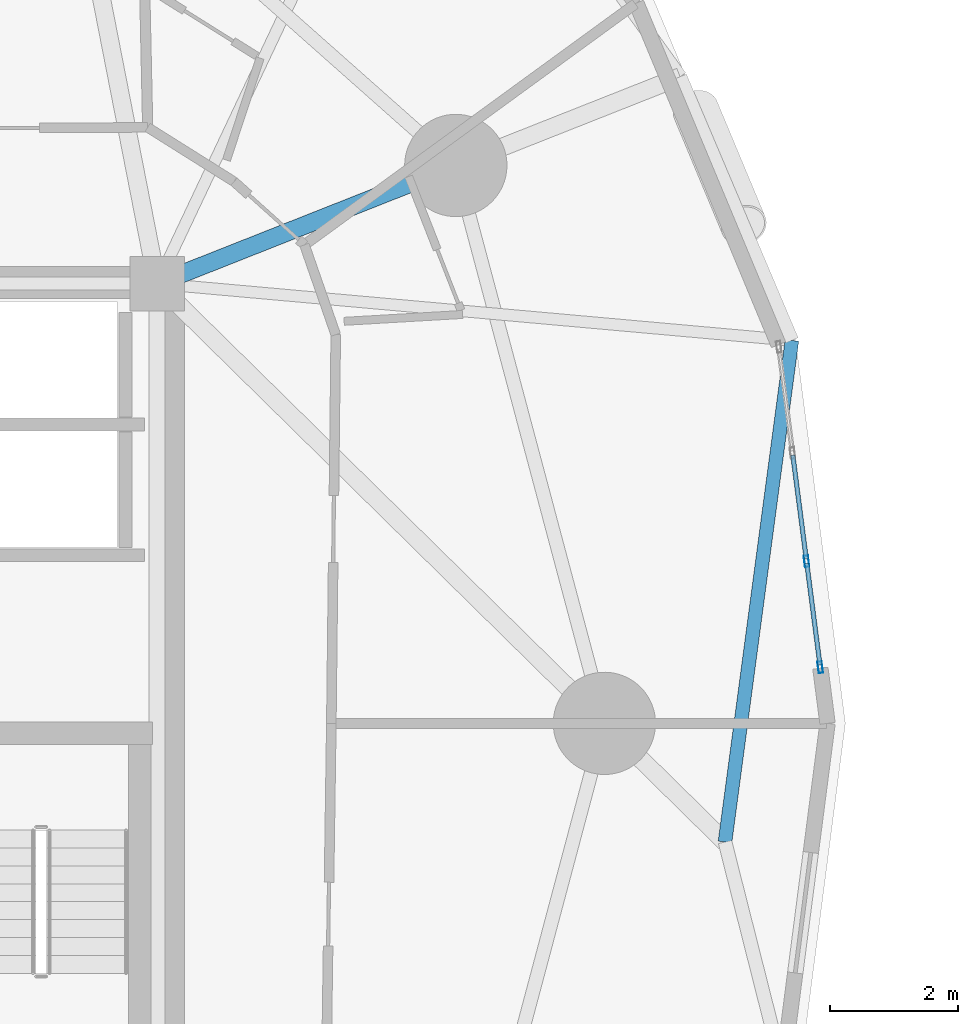
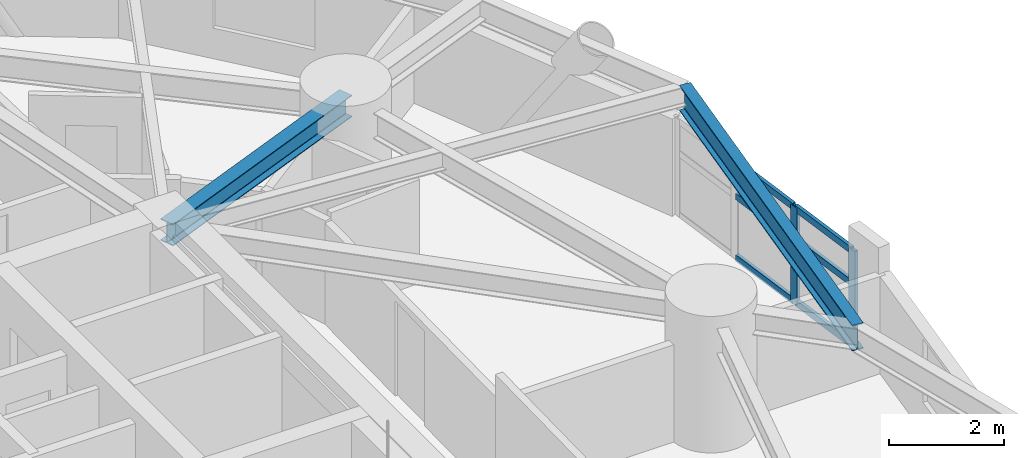
# One storey, part 2 of 18: 8 members, 2 beams, 1 element without a shape of its own.
"""IFC4 building model written with IfcOpenShell, lengths in metres."""

from ifc_helpers import new_model, si_unit, direction, frame, origin, origin_2d, place, context, subcontext, project, spatial, hollow_rectangle, i_section, extrude, material, layer, layer_set, material_profile, profile_set, type_object, element, aggregate, save


model = new_model("IFC4")

# Units and contexts
model_context = context("Model", 3, precision=1e-05, world=origin(), true_north=direction((0.0, 1.0)))
body_context = subcontext(model_context, "Body", "Model", "MODEL_VIEW")
ifc_project = project(units=[si_unit("LENGTHUNIT", "METRE"), si_unit("AREAUNIT", "SQUARE_METRE"), si_unit("VOLUMEUNIT", "CUBIC_METRE"), si_unit("PLANEANGLEUNIT", "RADIAN"), si_unit("MASSUNIT", "GRAM", prefix="KILO")], contexts=[model_context])

# Site, building, storey
site_placement = place(None, origin())
site = spatial("IfcSite", under=ifc_project, at=site_placement, CompositionType="ELEMENT")
building_placement = place(site_placement, origin())
building = spatial("IfcBuilding", under=site, at=building_placement, Name="Cununo Teusaquillo Station Towers", CompositionType="ELEMENT")
storey_placement = place(building_placement, frame((0.0, 0.0, 51.10009765625)))
storey = spatial("IfcBuildingStorey", under=building, at=storey_placement, Name="L15", CompositionType="ELEMENT", Elevation=51.10009765625)

# Beams
ifc_material_1 = material(Name="Steel ASTM A572 Grade 50", Category="steel")
ifc_material_profile_1 = material_profile(ifc_material_1, i_section(OverallWidth=0.280029296875, OverallDepth=0.462890625, WebThickness=0.0107421875, FlangeThickness=0.017333984375, FilletRadius=0.013916015625, at=origin_2d()), Name="W18X76")
ifc_profile_set_1 = profile_set([ifc_material_profile_1], Name="Steel ASTM A572 Grade 50")
beam_type_1 = type_object("IfcBeamType", Name="BM-RAD-G1", PredefinedType="BEAM", material=ifc_profile_set_1)
beam_1_placement = place(storey_placement, frame((21.675048828125, 31.3798828125, 2.41845703125), z_axis=(0.929864104313, 0.367903176814, 0.0), x_axis=(-0.367903176814, 0.929864104313, 0.0)))
element("IfcBeam", 1, at=beam_1_placement, inside=storey, type_object=beam_type_1, Name="L15 Tower A Radial Girder 02A", PredefinedType="BEAM", context=body_context, shape_type="SweptSolid", body=[
    extrude(i_section(OverallWidth=0.280029296875, OverallDepth=0.462890625, WebThickness=0.0107421875, FlangeThickness=0.017333984375, FilletRadius=0.013916015625, at=origin_2d()), origin(), (0.0, 0.0, 1.0), 5.02490234375),
])
ifc_material_2 = material(Name="Steel ASTM A572 Grade 50", Category="steel")
ifc_material_profile_2 = material_profile(ifc_material_2, i_section(OverallWidth=0.214111328125, OverallDepth=0.549072265625, WebThickness=0.0146484375, FlangeThickness=0.023681640625, FilletRadius=0.014892578125, at=origin_2d()), Name="W21X93")
ifc_profile_set_2 = profile_set([ifc_material_profile_2], Name="Steel ASTM A572 Grade 50")
beam_type_2 = type_object("IfcBeamType", Name="BM-RING-Z1", PredefinedType="SPANDREL", material=ifc_profile_set_2)
beam_2_placement = place(storey_placement, frame((30.558837890625, 22.644775390625, 2.37548828125), z_axis=(0.132240482179, 0.991217662712, 0.0), x_axis=(-0.991217662712, 0.132240482179, 0.0)))
element("IfcBeam", 2, at=beam_2_placement, inside=storey, type_object=beam_type_2, Name="L15 Tower A Spandrel Ring Beam 01", PredefinedType="SPANDREL", context=body_context, shape_type="SweptSolid", body=[
    extrude(i_section(OverallWidth=0.214111328125, OverallDepth=0.549072265625, WebThickness=0.0146484375, FlangeThickness=0.023681640625, FilletRadius=0.014892578125, at=origin_2d()), origin(), (0.0, 0.0, 1.0), 7.91650390625),
])

# Curtain wall, members
ifc_material_3 = material(Name="Operable acoustic tinted low-E double glazing", Category="glass")
ifc_layer = layer(ifc_material_3, 0.179931640625)
ifc_layer_set = layer_set([ifc_layer], Name="Operable acoustic tinted low-E double glazing")
curtain_wall_type = type_object("IfcCurtainWallType", Name="CW-SYS-03", PredefinedType="USERDEFINED", material=ifc_layer_set)
curtain_wall_placement = place(storey_placement, origin())
curtain_wall = element("IfcCurtainWall", 3, at=curtain_wall_placement, inside=storey, type_object=curtain_wall_type, Name="L15 Tower A Facade Curtain Wall C00", ObjectType="OPERABLE GLAZING", PredefinedType="USERDEFINED")
ifc_material_4 = material(Name="Anodised dark bronze aluminium EN AW-6063-T6", Category="aluminium")
ifc_material_profile_3 = material_profile(ifc_material_4, hollow_rectangle(XDim=0.070068359375, YDim=0.179931640625, WallThickness=0.00390625, at=origin_2d()), Name="CW-MULL-70x180")
ifc_profile_set_3 = profile_set([ifc_material_profile_3], Name="Anodised dark bronze aluminium EN AW-6063-T6")
member_type_1 = type_object("IfcMemberType", Name="CWM-180", PredefinedType="MULLION", material=ifc_profile_set_3)
member_1_placement = place(storey_placement, frame((31.834716796875, 27.03662109375, 0.0), z_axis=(0.0, 0.0, 1.0), x_axis=(0.99173073067, 0.128336112783, 0.0)))
member_1 = element("IfcMember", 4, at=member_1_placement, type_object=member_type_1, Name="CW-03 mullion 3", PredefinedType="MULLION", context=body_context, shape_type="SweptSolid", body=[
    extrude(hollow_rectangle(XDim=0.070068359375, YDim=0.179931640625, WallThickness=0.00390625, at=origin_2d()), origin(), (0.0, 0.0, 1.0), 2.072998046875),
])
member_2_placement = place(storey_placement, frame((32.04931640625, 25.377685546875, 0.0), z_axis=(0.0, 0.0, 1.0), x_axis=(0.99173073067, 0.128336112783, 0.0)))
member_2 = element("IfcMember", 5, at=member_2_placement, type_object=member_type_1, Name="CW-03 mullion 4", PredefinedType="MULLION", context=body_context, shape_type="SweptSolid", body=[
    extrude(hollow_rectangle(XDim=0.070068359375, YDim=0.179931640625, WallThickness=0.00390625, at=origin_2d()), origin(), (0.0, 0.0, 1.0), 2.072998046875),
])
ifc_material_5 = material(Name="Anodised dark bronze aluminium EN AW-6063-T6", Category="aluminium")
ifc_material_profile_4 = material_profile(ifc_material_5, hollow_rectangle(XDim=0.070068359375, YDim=0.139892578125, WallThickness=0.00390625, at=origin_2d()), Name="CW-TRAN-70x140")
ifc_profile_set_4 = profile_set([ifc_material_profile_4], Name="Anodised dark bronze aluminium EN AW-6063-T6")
member_type_2 = type_object("IfcMemberType", Name="CWT-140", PredefinedType="USERDEFINED", material=ifc_profile_set_4)
member_3_placement = place(storey_placement, frame((31.6201171875, 28.695556640625, 0.034912109375), z_axis=(0.128344982832, -0.99172958279, 0.0), x_axis=(0.99172958279, 0.128344982832, 0.0)))
member_3 = element("IfcMember", 6, at=member_3_placement, type_object=member_type_2, Name="CW-03 transom 2.1", ObjectType="TRANSOM", PredefinedType="USERDEFINED", context=body_context, shape_type="SweptSolid", body=[
    extrude(hollow_rectangle(XDim=0.070068359375, YDim=0.139892578125, WallThickness=0.00390625, at=origin_2d()), origin(), (0.0, 0.0, 1.0), 1.6376953125),
])
member_4_placement = place(storey_placement, frame((31.6201171875, 28.695556640625, 1.346923828125), z_axis=(0.128344982832, -0.99172958279, 0.0), x_axis=(0.99172958279, 0.128344982832, 0.0)))
member_4 = element("IfcMember", 7, at=member_4_placement, type_object=member_type_2, Name="CW-03 transom 2.2", ObjectType="TRANSOM", PredefinedType="USERDEFINED", context=body_context, shape_type="SweptSolid", body=[
    extrude(hollow_rectangle(XDim=0.070068359375, YDim=0.139892578125, WallThickness=0.00390625, at=origin_2d()), origin(), (0.0, 0.0, 1.0), 1.6376953125),
])
member_5_placement = place(storey_placement, frame((31.6201171875, 28.695556640625, 2.037841796875), z_axis=(0.128344982832, -0.99172958279, 0.0), x_axis=(0.99172958279, 0.128344982832, 0.0)))
member_5 = element("IfcMember", 8, at=member_5_placement, type_object=member_type_2, Name="CW-03 transom 2.3", ObjectType="TRANSOM", PredefinedType="USERDEFINED", context=body_context, shape_type="SweptSolid", body=[
    extrude(hollow_rectangle(XDim=0.070068359375, YDim=0.139892578125, WallThickness=0.00390625, at=origin_2d()), origin(), (0.0, 0.0, 1.0), 1.6376953125),
])
member_6_placement = place(storey_placement, frame((31.839111328125, 27.001953125, 0.034912109375), z_axis=(0.128401455372, -0.991722272745, 0.0), x_axis=(0.991722272745, 0.128401455372, 0.0)))
member_6 = element("IfcMember", 9, at=member_6_placement, type_object=member_type_2, Name="CW-03 transom 3.1", ObjectType="TRANSOM", PredefinedType="USERDEFINED", context=body_context, shape_type="SweptSolid", body=[
    extrude(hollow_rectangle(XDim=0.070068359375, YDim=0.139892578125, WallThickness=0.00390625, at=origin_2d()), origin(), (0.0, 0.0, 1.0), 1.602783203125),
])
member_7_placement = place(storey_placement, frame((31.839111328125, 27.001953125, 1.346923828125), z_axis=(0.128401455372, -0.991722272745, 0.0), x_axis=(0.991722272745, 0.128401455372, 0.0)))
member_7 = element("IfcMember", 10, at=member_7_placement, type_object=member_type_2, Name="CW-03 transom 3.2", ObjectType="TRANSOM", PredefinedType="USERDEFINED", context=body_context, shape_type="SweptSolid", body=[
    extrude(hollow_rectangle(XDim=0.070068359375, YDim=0.139892578125, WallThickness=0.00390625, at=origin_2d()), origin(), (0.0, 0.0, 1.0), 1.602783203125),
])
member_8_placement = place(storey_placement, frame((31.839111328125, 27.001953125, 2.037841796875), z_axis=(0.128401455372, -0.991722272745, 0.0), x_axis=(0.991722272745, 0.128401455372, 0.0)))
member_8 = element("IfcMember", 11, at=member_8_placement, type_object=member_type_2, Name="CW-03 transom 3.3", ObjectType="TRANSOM", PredefinedType="USERDEFINED", context=body_context, shape_type="SweptSolid", body=[
    extrude(hollow_rectangle(XDim=0.070068359375, YDim=0.139892578125, WallThickness=0.00390625, at=origin_2d()), origin(), (0.0, 0.0, 1.0), 1.602783203125),
])
aggregate(curtain_wall, [member_1, member_2, member_3, member_4, member_5, member_6, member_7, member_8])

save(model, "model.ifc")
